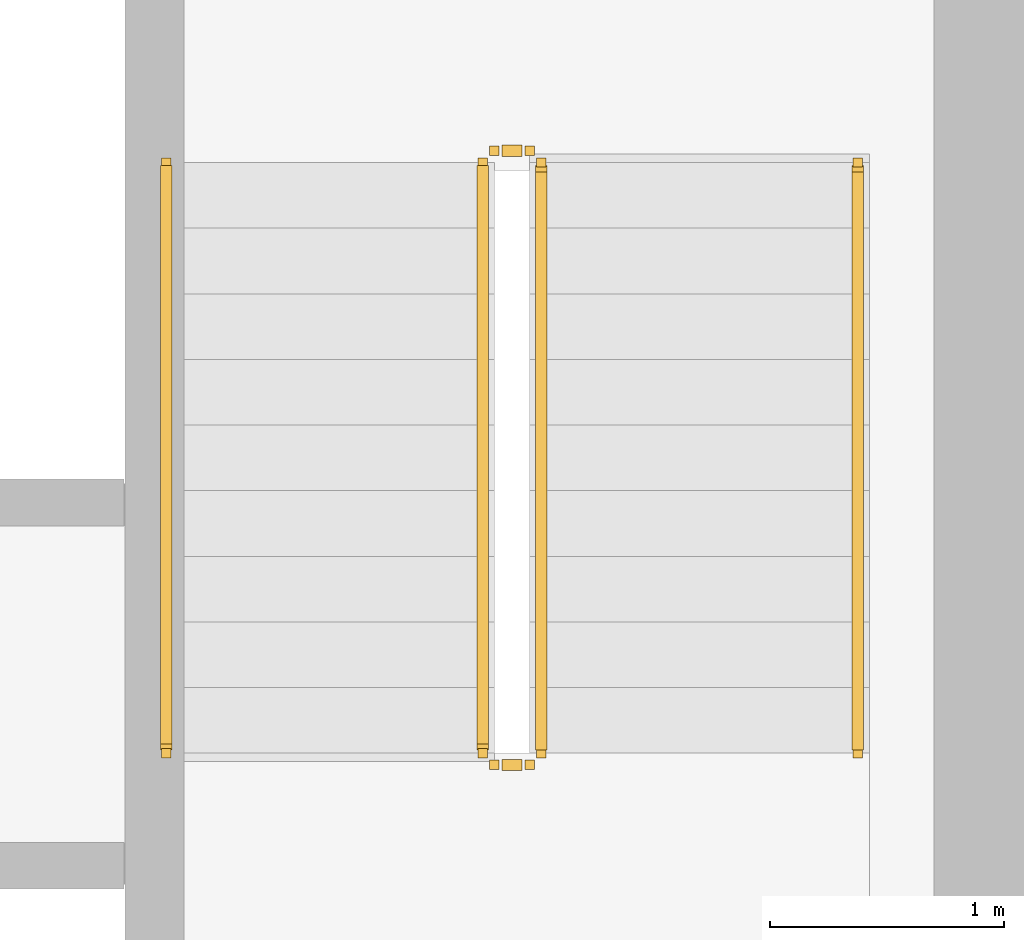
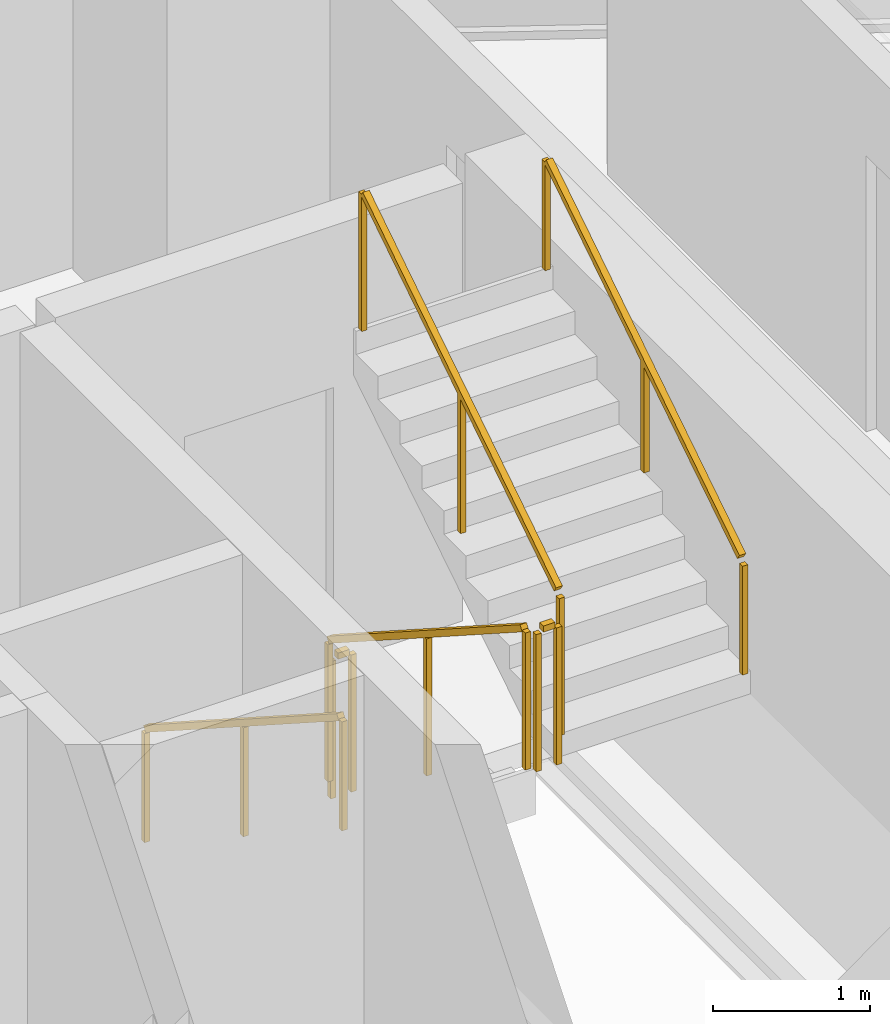
# One storey, part 19 of 20: 6 railings.
"""IFC4 building model written with IfcOpenShell, lengths in metres."""

from ifc_helpers import new_model, si_unit, direction, frame, origin, origin_2d, place, context, subcontext, project, spatial, rectangle, extrude, material, type_object, element, save


model = new_model("IFC4")

# Units and contexts
model_context = context("Model", 3, precision=1e-05, world=origin(), true_north=direction((0.0, 1.0)))
body_context = subcontext(model_context, "Body", "Model", "MODEL_VIEW")
ifc_project = project(units=[si_unit("LENGTHUNIT", "METRE"), si_unit("AREAUNIT", "SQUARE_METRE"), si_unit("VOLUMEUNIT", "CUBIC_METRE"), si_unit("PLANEANGLEUNIT", "RADIAN"), si_unit("MASSUNIT", "GRAM", prefix="KILO")], contexts=[model_context])

# Site, building, storey
site_placement = place(None, origin())
site = spatial("IfcSite", under=ifc_project, at=site_placement, CompositionType="ELEMENT")
building_placement = place(site_placement, origin())
building = spatial("IfcBuilding", under=site, at=building_placement, Name="Tharavind Bronze Gate", CompositionType="ELEMENT")
storey_placement = place(building_placement, frame((0.0, 0.0, 146.0)))
storey = spatial("IfcBuildingStorey", under=building, at=storey_placement, Name="L37", CompositionType="ELEMENT", Elevation=146.0)

# Railings
ifc_material = material(Name="Brushed Bronze Alloy", Category="metal")
railing_type_1 = type_object("IfcRailingType", Name="STAIR BRONZE HANDRAIL 900", PredefinedType="HANDRAIL", material=ifc_material)
railing_1_placement = place(storey_placement, frame((5.39990234375, 2.25, 0.179931640625)))
element("IfcRailing", 1, at=railing_1_placement, inside=storey, type_object=railing_type_1, Name="L37 ST2 stair handrail 1", PredefinedType="HANDRAIL", context=body_context, shape_type="SweptSolid", body=[
    extrude(rectangle(XDim=0.048095703125, YDim=0.048095703125, at=origin_2d()), frame((0.0, -0.02685546875, 0.89306640625), z_axis=(0.0, -0.841162588446, 0.540782303519), x_axis=(1.0, 0.0, 0.0)), (0.0, 0.0, 1.0), 2.931884765625),
    extrude(rectangle(XDim=0.0400390625, YDim=0.0400390625, at=origin_2d()), origin(), (0.0, 0.0, 1.0), 0.847900390625),
    extrude(rectangle(XDim=0.0400390625, YDim=0.0400390625, at=origin_2d()), frame((0.0, -1.260009765625, 0.81005859375)), (0.0, 0.0, 1.0), 0.847900390625),
    extrude(rectangle(XDim=0.0400390625, YDim=0.0400390625, at=origin_2d()), frame((0.0, -2.52001953125, 1.6201171875)), (0.0, 0.0, 1.0), 0.847900390625),
])
railing_2_placement = place(storey_placement, frame((8.35009765625, -0.27001953125, 1.97998046875)))
element("IfcRailing", 2, at=railing_2_placement, inside=storey, type_object=railing_type_1, Name="L37 ST2 stair handrail 2", PredefinedType="HANDRAIL", context=body_context, shape_type="SweptSolid", body=[
    extrude(rectangle(XDim=0.048095703125, YDim=0.048095703125, at=origin_2d()), frame((0.0, 0.02685546875, 0.89306640625), z_axis=(0.0, 0.841162588446, 0.540782303519), x_axis=(-1.0, 0.0, 0.0)), (0.0, 0.0, 1.0), 2.931884765625),
    extrude(rectangle(XDim=0.0400390625, YDim=0.0400390625, at=origin_2d()), origin(), (0.0, 0.0, 1.0), 0.847900390625),
    extrude(rectangle(XDim=0.0400390625, YDim=0.0400390625, at=origin_2d()), frame((0.0, 1.260009765625, 0.81005859375)), (0.0, 0.0, 1.0), 0.847900390625),
    extrude(rectangle(XDim=0.0400390625, YDim=0.0400390625, at=origin_2d()), frame((0.0, 2.52001953125, 1.6201171875)), (0.0, 0.0, 1.0), 0.847900390625),
])
railing_type_2 = type_object("IfcRailingType", Name="STAIR WELL GUARD RAILING 1120", PredefinedType="GUARDRAIL", material=ifc_material)
railing_3_placement = place(storey_placement, frame((6.75, 2.25, 0.179931640625)))
element("IfcRailing", 3, at=railing_3_placement, inside=storey, type_object=railing_type_2, Name="L37 ST2 stair guard 1", PredefinedType="GUARDRAIL", context=body_context, shape_type="SweptSolid", body=[
    extrude(rectangle(XDim=0.048095703125, YDim=0.048095703125, at=origin_2d()), frame((0.0, -0.02685546875, 1.11328125), z_axis=(0.0, -0.841162588446, 0.540782303519), x_axis=(1.0, 0.0, 0.0)), (0.0, 0.0, 1.0), 2.931884765625),
    extrude(rectangle(XDim=0.0400390625, YDim=0.0400390625, at=origin_2d()), origin(), (0.0, 0.0, 1.0), 1.068115234375),
    extrude(rectangle(XDim=0.0400390625, YDim=0.0400390625, at=origin_2d()), frame((0.0, -1.260009765625, 0.81005859375)), (0.0, 0.0, 1.0), 1.068115234375),
    extrude(rectangle(XDim=0.0400390625, YDim=0.0400390625, at=origin_2d()), frame((0.0, -2.52001953125, 1.6201171875)), (0.0, 0.0, 1.0), 1.068115234375),
])
railing_4_placement = place(storey_placement, frame((6.800048828125, -0.320068359375, 1.800048828125)))
element("IfcRailing", 4, at=railing_4_placement, inside=storey, type_object=railing_type_2, Name="L37 ST2 stair guard 2", PredefinedType="GUARDRAIL", context=body_context, shape_type="SweptSolid", body=[
    extrude(rectangle(XDim=0.048095703125, YDim=0.048095703125, at=origin_2d()), frame((0.031982421875, 0.0, 1.09619140625), z_axis=(1.0, 0.0, 0.0), x_axis=(0.0, 1.0, 0.0)), (0.0, 0.0, 1.0), 0.0859375),
    extrude(rectangle(XDim=0.0400390625, YDim=0.0400390625, at=origin_2d()), origin(), (0.0, 0.0, 1.0), 1.068115234375),
    extrude(rectangle(XDim=0.0400390625, YDim=0.0400390625, at=origin_2d()), frame((0.14990234375, 0.0, 0.0)), (0.0, 0.0, 1.0), 1.068115234375),
])
railing_5_placement = place(storey_placement, frame((7.0, -0.27001953125, 1.97998046875)))
element("IfcRailing", 5, at=railing_5_placement, inside=storey, type_object=railing_type_2, Name="L37 ST2 stair guard 3", PredefinedType="GUARDRAIL", context=body_context, shape_type="SweptSolid", body=[
    extrude(rectangle(XDim=0.048095703125, YDim=0.048095703125, at=origin_2d()), frame((0.0, 0.02685546875, 1.11328125), z_axis=(0.0, 0.841162588446, 0.540782303519), x_axis=(-1.0, 0.0, 0.0)), (0.0, 0.0, 1.0), 2.931884765625),
    extrude(rectangle(XDim=0.0400390625, YDim=0.0400390625, at=origin_2d()), origin(), (0.0, 0.0, 1.0), 1.068115234375),
    extrude(rectangle(XDim=0.0400390625, YDim=0.0400390625, at=origin_2d()), frame((0.0, 1.260009765625, 0.81005859375)), (0.0, 0.0, 1.0), 1.068115234375),
    extrude(rectangle(XDim=0.0400390625, YDim=0.0400390625, at=origin_2d()), frame((0.0, 2.52001953125, 1.6201171875)), (0.0, 0.0, 1.0), 1.068115234375),
])
railing_6_placement = place(storey_placement, frame((6.800048828125, 2.300048828125, 0.0)))
element("IfcRailing", 6, at=railing_6_placement, inside=storey, type_object=railing_type_2, Name="L37 ST2 stair guard 4", PredefinedType="GUARDRAIL", context=body_context, shape_type="SweptSolid", body=[
    extrude(rectangle(XDim=0.048095703125, YDim=0.048095703125, at=origin_2d()), frame((0.031982421875, 0.0, 1.09619140625), z_axis=(1.0, 0.0, 0.0), x_axis=(0.0, 1.0, 0.0)), (0.0, 0.0, 1.0), 0.0859375),
    extrude(rectangle(XDim=0.0400390625, YDim=0.0400390625, at=origin_2d()), origin(), (0.0, 0.0, 1.0), 1.068115234375),
    extrude(rectangle(XDim=0.0400390625, YDim=0.0400390625, at=origin_2d()), frame((0.14990234375, 0.0, 0.0)), (0.0, 0.0, 1.0), 1.068115234375),
])

save(model, "model.ifc")
